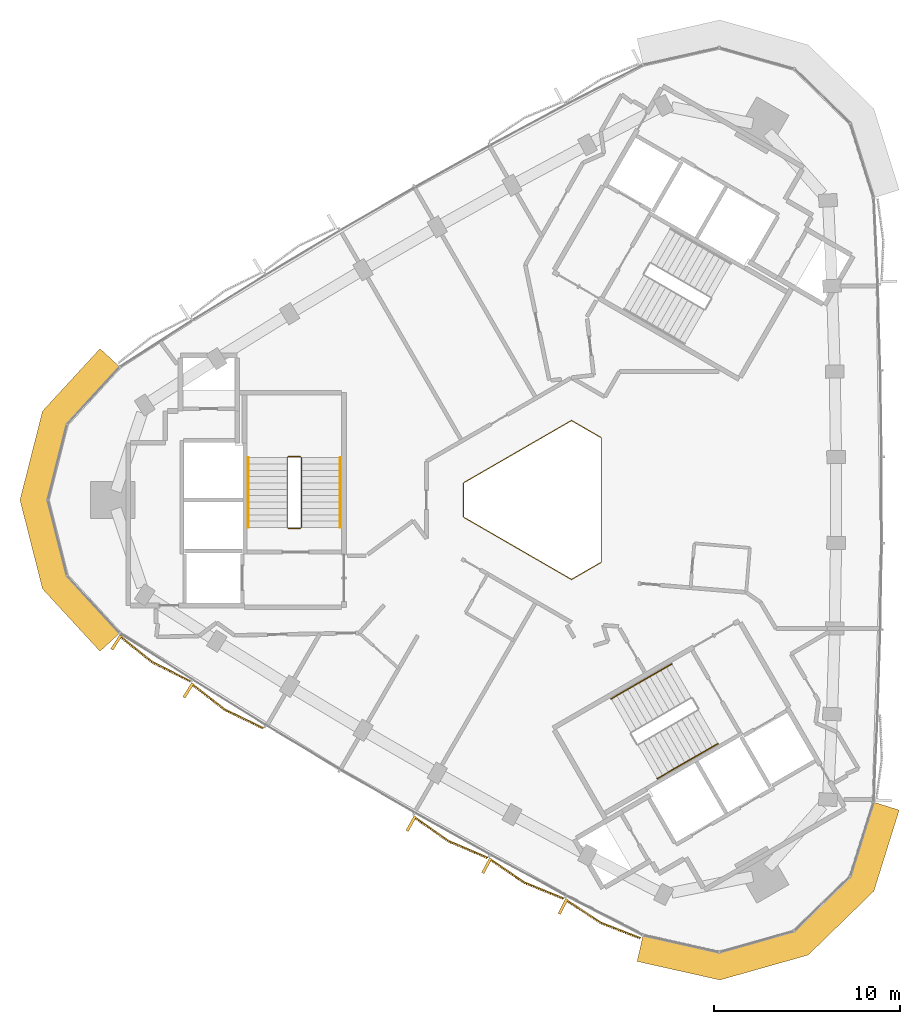
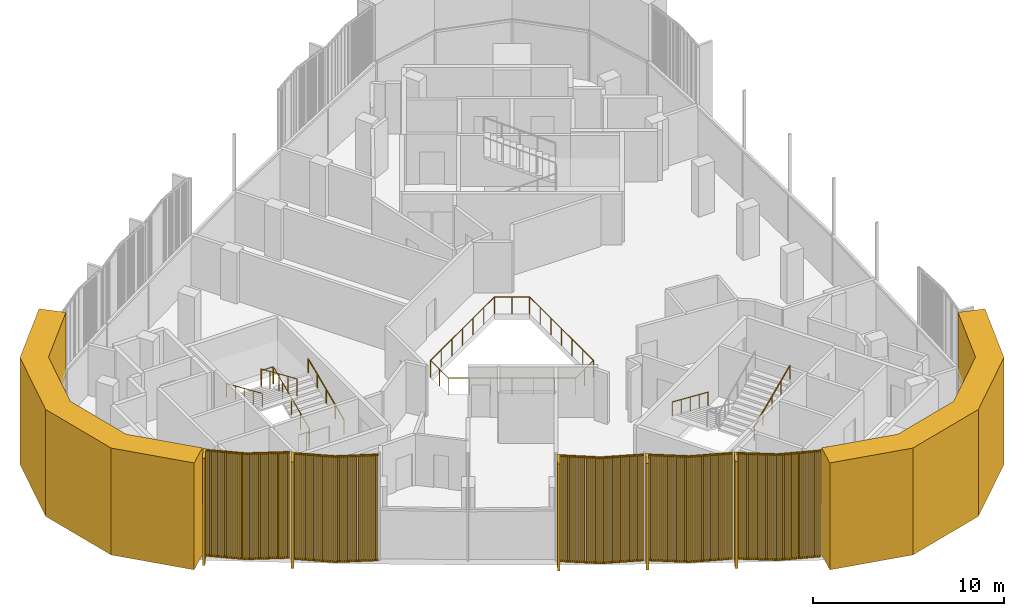
# One storey, part 10 of 12: 7 coverings, 6 railings.
"""IFC4 building model written with IfcOpenShell, lengths in metres."""

import ifcopenshell
import ifcopenshell.guid

model = None  # the IFC model being written
_history = None  # IfcOwnerHistory: only IFC2X3 demands one
_inside = {}  # id of a spatial element -> (the spatial element, [elements in it])
_under = {}  # id of a project, library or spatial element -> (it, [spatial elements below it])
_declared = {}  # id of a project -> (the project, [libraries it declares])
_typed = {}  # id of a type object -> (the type object, [elements of that type])
_made_of = {}  # id of a material, layer set ... -> (it, [elements and type objects made of it])


def new_model(schema):
    """Start an empty IFC model of exactly this schema.

    Asked for "IFC4X3", IfcOpenShell would pick the latest addendum, in which some entities
    have other attributes; the version numbers below select the first issue.
    IFC2X3 requires an IfcOwnerHistory on every rooted entity: one is made here for all.
    """
    global model, _history
    if schema == "IFC4X3":
        model = ifcopenshell.file(schema_version=(4, 3, 0, 0))
    else:
        model = ifcopenshell.file(schema=schema)
    _inside.clear()
    _under.clear()
    _declared.clear()
    _typed.clear()
    _made_of.clear()
    _history = None
    if model.schema == "IFC2X3":
        org = make("IfcOrganization", Name="unknown")
        user = make(
            "IfcPersonAndOrganization",
            ThePerson=make("IfcPerson", FamilyName="unknown"),
            TheOrganization=org,
        )
        app = make(
            "IfcApplication",
            ApplicationDeveloper=org,
            Version="unknown",
            ApplicationFullName="unknown",
            ApplicationIdentifier="unknown",
        )
        _history = make(
            "IfcOwnerHistory",
            OwningUser=user,
            OwningApplication=app,
            ChangeAction="ADDED",
            CreationDate=0,
        )
    return model


def make(cls, **values):
    """One entity of the class cls with the attributes given. An attribute that is None is left unset."""
    return model.create_entity(
        cls, **{name: value for name, value in values.items() if value is not None}
    )


def rooted(cls, **values):
    """An entity with a GlobalId (a new one), such as an element, a storey or a relation."""
    return make(cls, GlobalId=ifcopenshell.guid.new(), OwnerHistory=_history, **values)


def si_unit(unit_type, name, prefix=None):
    """IfcSIUnit, for example si_unit("LENGTHUNIT", "METRE", prefix="MILLI")."""
    return make("IfcSIUnit", UnitType=unit_type, Prefix=prefix, Name=name)


def assignment(units):
    """IfcUnitAssignment: the units of a project."""
    return None if units is None else make("IfcUnitAssignment", Units=units)


def point(xyz):
    """IfcCartesianPoint."""
    return None if xyz is None else make("IfcCartesianPoint", Coordinates=xyz)


def direction(xyz):
    """IfcDirection."""
    return None if xyz is None else make("IfcDirection", DirectionRatios=xyz)


def frame(location, z_axis=None, x_axis=None):
    """IfcAxis2Placement3D, a coordinate frame: its origin and axes. An axis left out is left unset."""
    return make(
        "IfcAxis2Placement3D",
        Location=point(location),
        Axis=direction(z_axis),
        RefDirection=direction(x_axis),
    )


def frame_2d(location, x_axis=None):
    """IfcAxis2Placement2D, a coordinate frame in the plane: its origin and x axis."""
    return make(
        "IfcAxis2Placement2D", Location=point(location), RefDirection=direction(x_axis)
    )


def origin():
    """The frame at (0, 0, 0) with its axes left unset."""
    return frame((0.0, 0.0, 0.0))


def origin_2d():
    """The frame at (0, 0) in the plane with its x axis left unset."""
    return frame_2d((0.0, 0.0))


def place(relative_to, where):
    """IfcLocalPlacement: puts the frame where relative to a parent placement (None: the world)."""
    return make(
        "IfcLocalPlacement", PlacementRelTo=relative_to, RelativePlacement=where
    )


def context(
    kind, dimensions, precision=None, world=None, true_north=None, identifier=None
):
    """IfcGeometricRepresentationContext, for example the 3D "Model" context."""
    return make(
        "IfcGeometricRepresentationContext",
        ContextIdentifier=identifier,
        ContextType=kind,
        CoordinateSpaceDimension=dimensions,
        Precision=precision,
        WorldCoordinateSystem=world,
        TrueNorth=true_north,
    )


def subcontext(parent, identifier, kind, view, scale=None):
    """IfcGeometricRepresentationSubContext, for example "Body" below "Model"."""
    return make(
        "IfcGeometricRepresentationSubContext",
        ContextIdentifier=identifier,
        ContextType=kind,
        ParentContext=parent,
        TargetScale=scale,
        TargetView=view,
    )


def project(units=None, contexts=None):
    """IfcProject with its units and contexts."""
    return rooted(
        "IfcProject",
        Name="project",
        RepresentationContexts=contexts,
        UnitsInContext=assignment(units),
    )


def spatial(cls, under=None, at=None, **own):
    """A site, building, storey or space (cls), placed at a placement, below another one or the project."""
    s = rooted(cls, ObjectPlacement=at, **own)
    if under is not None:
        _under.setdefault(under.id(), (under, []))[1].append(s)
    return s


def polyline(points):
    """IfcPolyline through the points."""
    return make("IfcPolyline", Points=[point(p) for p in points])


def profile(cls, at=None, kind="AREA", **sizes):
    """A parametric profile (cls). Its sizes go by their IFC names, for example OverallWidth=200.0."""
    return make(cls, ProfileType=kind, Position=at, **sizes)


def rectangle(**sizes):
    """IfcRectangleProfileDef."""
    return profile("IfcRectangleProfileDef", **sizes)


def circle(**sizes):
    """IfcCircleProfileDef."""
    return profile("IfcCircleProfileDef", **sizes)


def outline(outer, holes=None, kind="AREA"):
    """IfcArbitraryClosedProfileDef: a profile drawn as a closed curve; with holes, ...WithVoids."""
    if holes is None:
        return make("IfcArbitraryClosedProfileDef", ProfileType=kind, OuterCurve=outer)
    return make(
        "IfcArbitraryProfileDefWithVoids",
        ProfileType=kind,
        OuterCurve=outer,
        InnerCurves=holes,
    )


def extrude(swept, where, along, depth):
    """IfcExtrudedAreaSolid: the profile swept, set in the frame where, extruded along a direction by depth."""
    return make(
        "IfcExtrudedAreaSolid",
        SweptArea=swept,
        Position=where,
        ExtrudedDirection=direction(along),
        Depth=depth,
    )


def shape(context_of_items, identifier, shape_type, items):
    """IfcShapeRepresentation: the items that make up one representation, for example the "Body"."""
    return make(
        "IfcShapeRepresentation",
        ContextOfItems=context_of_items,
        RepresentationIdentifier=identifier,
        RepresentationType=shape_type,
        Items=items,
    )


def source(mapping_origin, context_of_items, identifier, shape_type, items):
    """IfcRepresentationMap: a shape defined once, which mapped items show again and again."""
    return make(
        "IfcRepresentationMap",
        MappingOrigin=mapping_origin,
        MappedRepresentation=shape(context_of_items, identifier, shape_type, items),
    )


def transform(
    local_origin,
    x_axis=None,
    y_axis=None,
    z_axis=None,
    scale=None,
    scale2=None,
    scale3=None,
    uniform=True,
):
    """IfcCartesianTransformationOperator3D, or its non-uniform kind. x_axis, y_axis, z_axis: its Axis1, 2, 3."""
    if uniform:
        return make(
            "IfcCartesianTransformationOperator3D",
            Axis1=direction(x_axis),
            Axis2=direction(y_axis),
            LocalOrigin=point(local_origin),
            Scale=scale,
            Axis3=direction(z_axis),
        )
    return make(
        "IfcCartesianTransformationOperator3DnonUniform",
        Axis1=direction(x_axis),
        Axis2=direction(y_axis),
        LocalOrigin=point(local_origin),
        Scale=scale,
        Axis3=direction(z_axis),
        Scale2=scale2,
        Scale3=scale3,
    )


def mapped(mapping_source, mapping_target):
    """IfcMappedItem: shows the shape of a source again, moved by a transform."""
    return make(
        "IfcMappedItem", MappingSource=mapping_source, MappingTarget=mapping_target
    )


def material(Name=None, Category=None):
    """IfcMaterial."""
    return make("IfcMaterial", Name=Name, Category=Category)


def layer(
    of_material, thickness, ventilated=None, Name=None, Category=None, Priority=None
):
    """IfcMaterialLayer: one layer of a wall or slab, of a material (None: an air gap)."""
    return make(
        "IfcMaterialLayer",
        Material=of_material,
        LayerThickness=thickness,
        IsVentilated=ventilated,
        Name=Name,
        Category=Category,
        Priority=Priority,
    )


def layer_set(layers, Name=None):
    """IfcMaterialLayerSet."""
    return make("IfcMaterialLayerSet", MaterialLayers=layers, LayerSetName=Name)


def made_of(thing, what):
    """Note that an element or type object is made of a material, layer set ...; save() writes the relation."""
    if what is not None:
        _made_of.setdefault(what.id(), (what, []))[1].append(thing)
    return thing


def type_object(cls, material=None, **own):
    """A type object (cls), such as IfcWallType, which elements share."""
    return made_of(rooted(cls, **own), material)


def element(
    cls,
    number,
    at=None,
    inside=None,
    cuts=None,
    type_object=None,
    material=None,
    context=None,
    identifier="Body",
    shape_type=None,
    held_by="IfcProductDefinitionShape",
    body=None,
    shapes=None,
    **own,
):
    """One element of the class cls, such as IfcWall. Its Tag is "e" and its number.

    at: its placement. inside: the storey or other place that contains it. cuts: it is an
    opening in that element (IfcRelVoidsElement). A single representation is given by context,
    identifier, shape_type and body (its items); several are given by shapes. held_by: the class
    of the entity that holds the representations. save() writes the other relations.
    """
    e = rooted(cls, Tag="e%d" % number, ObjectPlacement=at, **own)
    if body is not None:
        shapes = [shape(context, identifier, shape_type, body)]
    if shapes is not None:
        e.Representation = make(held_by, Representations=shapes)
    if inside is not None:
        _inside.setdefault(inside.id(), (inside, []))[1].append(e)
    if cuts is not None:
        rooted(
            "IfcRelVoidsElement", RelatingBuildingElement=cuts, RelatedOpeningElement=e
        )
    if type_object is not None:
        _typed.setdefault(type_object.id(), (type_object, []))[1].append(e)
    return made_of(e, material)


def aggregate(whole, parts):
    """IfcRelAggregates: a whole, such as a stair, and the parts it consists of."""
    return rooted("IfcRelAggregates", RelatingObject=whole, RelatedObjects=parts)


def save(model, path):
    """Write the relations noted so far, then the file.

    IfcRelAggregates (storeys below a building ...), IfcRelContainedInSpatialStructure (elements
    in a storey), IfcRelDefinesByType, IfcRelAssociatesMaterial and IfcRelDeclares: one each for
    every whole, place, type object, material and project.
    """
    for whole, parts in _under.values():
        aggregate(whole, parts)
    for where, things in _inside.values():
        rooted(
            "IfcRelContainedInSpatialStructure",
            RelatedElements=things,
            RelatingStructure=where,
        )
    for kind, things in _typed.values():
        rooted("IfcRelDefinesByType", RelatedObjects=things, RelatingType=kind)
    for what, things in _made_of.values():
        rooted("IfcRelAssociatesMaterial", RelatedObjects=things, RelatingMaterial=what)
    for by, libraries in _declared.values():
        rooted("IfcRelDeclares", RelatingContext=by, RelatedDefinitions=libraries)
    model.write(path)


model = new_model("IFC4")

# Units and contexts
model_context = context("Model", 3, precision=1e-05, world=origin(), true_north=direction((0.0, 1.0)))
body_context = subcontext(model_context, "Body", "Model", "MODEL_VIEW")
ifc_project = project(units=[si_unit("LENGTHUNIT", "METRE"), si_unit("AREAUNIT", "SQUARE_METRE"), si_unit("VOLUMEUNIT", "CUBIC_METRE"), si_unit("PLANEANGLEUNIT", "RADIAN"), si_unit("MASSUNIT", "GRAM", prefix="KILO")], contexts=[model_context])

# Site, building, storey
site_placement = place(None, origin())
site = spatial("IfcSite", under=ifc_project, at=site_placement, CompositionType="ELEMENT")
building_placement = place(site_placement, origin())
building = spatial("IfcBuilding", under=site, at=building_placement, Name="Tamra Quay Hotel Tower", CompositionType="ELEMENT")
storey_placement = place(building_placement, frame((0.0, 0.0, 273.0)))
storey = spatial("IfcBuildingStorey", under=building, at=storey_placement, Name="L69", CompositionType="ELEMENT", Elevation=273.0)

# Coverings
ifc_material_1 = material(Name="Precast concrete M60 terracotta-coloured", Category="masonry")
ifc_layer = layer(ifc_material_1, 1.449951171875)
ifc_layer_set = layer_set([ifc_layer], Name="CORNER PIER PANEL")
covering_type_1 = type_object("IfcCoveringType", Name="CORNER PIER PANEL", PredefinedType="CLADDING", material=ifc_layer_set)
covering_1_placement = place(storey_placement, origin())
element("IfcCovering", 1, at=covering_1_placement, inside=storey, type_object=covering_type_1, Name="Corner pier L69.north-west", PredefinedType="CLADDING", context=body_context, shape_type="SweptSolid", body=[
    extrude(outline(polyline([(-22.898681640625, 7.15869140625), (-23.965087890625, 8.140869140625), (-27.05810546875, 4.781982421875), (-28.269287109375, 0.0), (-27.05810546875, -4.781982421875), (-23.965087890625, -8.140869140625), (-22.898681640625, -7.15869140625), (-25.742431640625, -4.070068359375), (-26.7734375, 0.0), (-25.742431640625, 4.070068359375), (-22.898681640625, 7.15869140625)])), origin(), (0.0, 0.0, 1.0), 6.85009765625),
])
covering_2_placement = place(storey_placement, origin())
element("IfcCovering", 2, at=covering_2_placement, inside=storey, type_object=covering_type_1, Name="Corner pier L69.south-west", PredefinedType="CLADDING", context=body_context, shape_type="SweptSolid", body=[
    extrude(outline(polyline([(5.249755859375, -23.409912109375), (4.9326171875, -24.824951171875), (9.3876953125, -25.823974609375), (14.134521484375, -24.481689453125), (17.67041015625, -21.0419921875), (19.03271484375, -16.68408203125), (17.648681640625, -16.25146484375), (16.39599609375, -20.2587890625), (13.38671875, -23.186279296875), (9.346435546875, -24.32861328125), (5.249755859375, -23.409912109375)])), origin(), (0.0, 0.0, 1.0), 6.85009765625),
])

# Railings
ifc_material_2 = material(Name="Guard atrium edge 1100")
railing_type_1 = type_object("IfcRailingType", Name="Guard atrium edge 1100", PredefinedType="GUARDRAIL", material=ifc_material_2)
railing_1_placement = place(storey_placement, frame((3.0, -3.34912109375, 0.0)))
element("IfcRailing", 3, at=railing_1_placement, inside=storey, type_object=railing_type_1, Name="G-A", PredefinedType="GUARDRAIL", context=body_context, shape_type="SweptSolid", body=[
    extrude(circle(Radius=0.02392578125, at=origin_2d()), frame((0.0, 0.0, 1.076171875), z_axis=(-0.866251590862, -0.499608027687, 0.0), x_axis=(0.499608027687, -0.866251590862, 0.0)), (0.0, 0.0, 1.0), 1.84716796875),
    extrude(circle(Radius=0.02392578125, at=origin_2d()), frame((-1.60009765625, -0.9228515625, 1.076171875), z_axis=(-0.866065387416, 0.499930739924, 0.0), x_axis=(-0.499930739924, -0.866065387416, 0.0)), (0.0, 0.0, 1.0), 6.69677734375),
    extrude(circle(Radius=0.02392578125, at=origin_2d()), frame((-7.39990234375, 2.425048828125, 1.076171875), z_axis=(0.0, 1.0, 0.0), x_axis=(-1.0, 0.0, 0.0)), (0.0, 0.0, 1.0), 1.84814453125),
    extrude(circle(Radius=0.02392578125, at=origin_2d()), frame((-7.39990234375, 4.273193359375, 1.076171875), z_axis=(0.866065387416, 0.499930739924, 0.0), x_axis=(-0.499930739924, 0.866065387416, 0.0)), (0.0, 0.0, 1.0), 6.69677734375),
    extrude(circle(Radius=0.02392578125, at=origin_2d()), frame((-1.60009765625, 7.62109375, 1.076171875), z_axis=(0.866251590862, -0.499608027687, 0.0), x_axis=(0.499608027687, 0.866251590862, 0.0)), (0.0, 0.0, 1.0), 1.84716796875),
    extrude(circle(Radius=0.02392578125, at=origin_2d()), frame((0.0, 6.6982421875, 1.076171875), z_axis=(0.0, -1.0, 0.0), x_axis=(1.0, 0.0, 0.0)), (0.0, 0.0, 1.0), 6.6982421875),
    extrude(circle(Radius=0.02099609375, at=origin_2d()), origin(), (0.0, 0.0, 1.0), 1.052001953125),
    extrude(circle(Radius=0.02099609375, at=origin_2d()), frame((-0.800048828125, -0.46142578125, 0.0)), (0.0, 0.0, 1.0), 1.052001953125),
    extrude(circle(Radius=0.02099609375, at=origin_2d()), frame((-1.60009765625, -0.9228515625, 0.0)), (0.0, 0.0, 1.0), 1.052001953125),
    extrude(circle(Radius=0.02099609375, at=origin_2d()), frame((-2.566650390625, -0.36474609375, 0.0)), (0.0, 0.0, 1.0), 1.052001953125),
    extrude(circle(Radius=0.02099609375, at=origin_2d()), frame((-3.533447265625, 0.193115234375, 0.0)), (0.0, 0.0, 1.0), 1.052001953125),
    extrude(circle(Radius=0.02099609375, at=origin_2d()), frame((-4.5, 0.7509765625, 0.0)), (0.0, 0.0, 1.0), 1.052001953125),
    extrude(circle(Radius=0.02099609375, at=origin_2d()), frame((-5.466552734375, 1.30908203125, 0.0)), (0.0, 0.0, 1.0), 1.052001953125),
    extrude(circle(Radius=0.02099609375, at=origin_2d()), frame((-6.433349609375, 1.8671875, 0.0)), (0.0, 0.0, 1.0), 1.052001953125),
    extrude(circle(Radius=0.02099609375, at=origin_2d()), frame((-7.39990234375, 2.425048828125, 0.0)), (0.0, 0.0, 1.0), 1.052001953125),
    extrude(circle(Radius=0.02099609375, at=origin_2d()), frame((-7.39990234375, 3.34912109375, 0.0)), (0.0, 0.0, 1.0), 1.052001953125),
    extrude(circle(Radius=0.02099609375, at=origin_2d()), frame((-7.39990234375, 4.273193359375, 0.0)), (0.0, 0.0, 1.0), 1.052001953125),
    extrude(circle(Radius=0.02099609375, at=origin_2d()), frame((-6.433349609375, 4.8310546875, 0.0)), (0.0, 0.0, 1.0), 1.052001953125),
    extrude(circle(Radius=0.02099609375, at=origin_2d()), frame((-5.466552734375, 5.38916015625, 0.0)), (0.0, 0.0, 1.0), 1.052001953125),
    extrude(circle(Radius=0.02099609375, at=origin_2d()), frame((-4.5, 5.947265625, 0.0)), (0.0, 0.0, 1.0), 1.052001953125),
    extrude(circle(Radius=0.02099609375, at=origin_2d()), frame((-3.533447265625, 6.505126953125, 0.0)), (0.0, 0.0, 1.0), 1.052001953125),
    extrude(circle(Radius=0.02099609375, at=origin_2d()), frame((-2.566650390625, 7.06298828125, 0.0)), (0.0, 0.0, 1.0), 1.052001953125),
    extrude(circle(Radius=0.02099609375, at=origin_2d()), frame((-1.60009765625, 7.62109375, 0.0)), (0.0, 0.0, 1.0), 1.052001953125),
    extrude(circle(Radius=0.02099609375, at=origin_2d()), frame((-0.800048828125, 7.15966796875, 0.0)), (0.0, 0.0, 1.0), 1.052001953125),
    extrude(circle(Radius=0.02099609375, at=origin_2d()), frame((0.0, 6.6982421875, 0.0)), (0.0, 0.0, 1.0), 1.052001953125),
    extrude(circle(Radius=0.02099609375, at=origin_2d()), frame((0.0, 5.581787109375, 0.0)), (0.0, 0.0, 1.0), 1.052001953125),
    extrude(circle(Radius=0.02099609375, at=origin_2d()), frame((0.0, 4.465576171875, 0.0)), (0.0, 0.0, 1.0), 1.052001953125),
    extrude(circle(Radius=0.02099609375, at=origin_2d()), frame((0.0, 3.34912109375, 0.0)), (0.0, 0.0, 1.0), 1.052001953125),
    extrude(circle(Radius=0.02099609375, at=origin_2d()), frame((0.0, 2.232666015625, 0.0)), (0.0, 0.0, 1.0), 1.052001953125),
    extrude(circle(Radius=0.02099609375, at=origin_2d()), frame((0.0, 1.116455078125, 0.0)), (0.0, 0.0, 1.0), 1.052001953125),
])
ifc_material_3 = material(Name="Stair guard 1100")
railing_type_2 = type_object("IfcRailingType", Name="Stair guard 1100", PredefinedType="GUARDRAIL", material=ifc_material_3)
railing_2_placement = place(storey_placement, frame((-13.84130859375, -1.530029296875, 0.0)))
element("IfcRailing", 4, at=railing_2_placement, inside=storey, type_object=railing_type_2, Name="GR", PredefinedType="GUARDRAIL", context=body_context, shape_type="SweptSolid", body=[
    extrude(circle(Radius=0.02392578125, at=origin_2d()), frame((0.0, 0.0, 1.076171875), z_axis=(1.0, 0.0, 0.0), x_axis=(0.0, 1.0, 0.0)), (0.0, 0.0, 1.0), 0.658935546875),
    extrude(circle(Radius=0.02392578125, at=origin_2d()), frame((0.658935546875, 0.0, 1.076171875), z_axis=(0.301912943143, 0.301912943143, 0.904266083366), x_axis=(-0.707106781187, 0.707106781187, 0.0)), (0.0, 0.0, 1.0), 0.165771484375),
    extrude(circle(Radius=0.02392578125, at=origin_2d()), frame((0.708984375, 0.050048828125, 1.22607421875), z_axis=(0.0, 0.915773634228, 0.401694723457), x_axis=(-1.0, 0.0, 0.0)), (0.0, 0.0, 1.0), 4.10791015625),
    extrude(circle(Radius=0.02392578125, at=origin_2d()), frame((0.708984375, 3.81201171875, 2.8759765625), z_axis=(-0.708833529934, 0.705375805398, 0.0), x_axis=(-0.705375805398, -0.708833529934, 0.0)), (0.0, 0.0, 1.0), 0.070556640625),
    extrude(circle(Radius=0.02392578125, at=origin_2d()), frame((0.658935546875, 3.86181640625, 2.8759765625), z_axis=(-1.0, 0.0, 0.0), x_axis=(0.0, -1.0, 0.0)), (0.0, 0.0, 1.0), 0.658935546875),
    extrude(circle(Radius=0.02392578125, at=origin_2d()), frame((0.0, 3.86181640625, 2.8759765625), z_axis=(-0.302046947789, -0.300573548044, 0.904667443621), x_axis=(0.705375805398, -0.708833529934, 0.0)), (0.0, 0.0, 1.0), 0.165771484375),
    extrude(circle(Radius=0.02392578125, at=origin_2d()), frame((-0.050048828125, 3.81201171875, 3.02587890625), z_axis=(0.0, -0.915773634228, 0.401694723457), x_axis=(1.0, 0.0, 0.0)), (0.0, 0.0, 1.0), 4.10791015625),
    extrude(circle(Radius=0.02099609375, at=origin_2d()), origin(), (0.0, 0.0, 1.0), 1.052001953125),
    extrude(circle(Radius=0.02099609375, at=origin_2d()), frame((0.658935546875, 0.0, 0.0)), (0.0, 0.0, 1.0), 1.052001953125),
    extrude(circle(Radius=0.02099609375, at=origin_2d()), frame((0.708984375, 0.050048828125, 0.14990234375)), (0.0, 0.0, 1.0), 1.052001953125),
    extrude(circle(Radius=0.02099609375, at=origin_2d()), frame((0.708984375, 0.990478515625, 0.5625)), (0.0, 0.0, 1.0), 1.052001953125),
    extrude(circle(Radius=0.02099609375, at=origin_2d()), frame((0.708984375, 1.93115234375, 0.97509765625)), (0.0, 0.0, 1.0), 1.052001953125),
    extrude(circle(Radius=0.02099609375, at=origin_2d()), frame((0.708984375, 2.87158203125, 1.387451171875)), (0.0, 0.0, 1.0), 1.052001953125),
    extrude(circle(Radius=0.02099609375, at=origin_2d()), frame((0.708984375, 3.81201171875, 1.800048828125)), (0.0, 0.0, 1.0), 1.052001953125),
    extrude(circle(Radius=0.02099609375, at=origin_2d()), frame((0.658935546875, 3.86181640625, 1.800048828125)), (0.0, 0.0, 1.0), 1.052001953125),
    extrude(circle(Radius=0.02099609375, at=origin_2d()), frame((0.0, 3.86181640625, 1.800048828125)), (0.0, 0.0, 1.0), 1.052001953125),
    extrude(circle(Radius=0.02099609375, at=origin_2d()), frame((-0.050048828125, 3.81201171875, 1.949951171875)), (0.0, 0.0, 1.0), 1.052001953125),
    extrude(circle(Radius=0.02099609375, at=origin_2d()), frame((-0.050048828125, 2.87158203125, 2.362548828125)), (0.0, 0.0, 1.0), 1.052001953125),
    extrude(circle(Radius=0.02099609375, at=origin_2d()), frame((-0.050048828125, 1.93115234375, 2.77490234375)), (0.0, 0.0, 1.0), 1.052001953125),
    extrude(circle(Radius=0.02099609375, at=origin_2d()), frame((-0.050048828125, 0.990478515625, 3.1875)), (0.0, 0.0, 1.0), 1.052001953125),
    extrude(circle(Radius=0.02099609375, at=origin_2d()), frame((-0.050048828125, 0.050048828125, 3.60009765625)), (0.0, 0.0, 1.0), 1.052001953125),
])
ifc_material_4 = material(Name="Stair handrail 900")
railing_type_3 = type_object("IfcRailingType", Name="Stair handrail 900", PredefinedType="HANDRAIL", material=ifc_material_4)
railing_3_placement = place(storey_placement, frame((-11.0322265625, -1.47998046875, 0.14990234375)))
element("IfcRailing", 5, at=railing_3_placement, inside=storey, type_object=railing_type_3, Name="HR", PredefinedType="HANDRAIL", context=body_context, shape_type="SweptSolid", body=[
    extrude(circle(Radius=0.02392578125, at=origin_2d()), frame((0.0, 0.0, 0.8759765625), z_axis=(0.0, 0.915773634228, 0.401694723457), x_axis=(-1.0, 0.0, 0.0)), (0.0, 0.0, 1.0), 4.10791015625),
    extrude(circle(Radius=0.02099609375, at=origin_2d()), origin(), (0.0, 0.0, 1.0), 0.851806640625),
    extrude(circle(Radius=0.02099609375, at=origin_2d()), frame((0.0, 0.9404296875, 0.41259765625)), (0.0, 0.0, 1.0), 0.851806640625),
    extrude(circle(Radius=0.02099609375, at=origin_2d()), frame((0.0, 1.880859375, 0.8251953125)), (0.0, 0.0, 1.0), 0.851806640625),
    extrude(circle(Radius=0.02099609375, at=origin_2d()), frame((0.0, 2.821533203125, 1.237548828125)), (0.0, 0.0, 1.0), 0.851806640625),
    extrude(circle(Radius=0.02099609375, at=origin_2d()), frame((0.0, 3.761962890625, 1.650146484375)), (0.0, 0.0, 1.0), 0.851806640625),
])
railing_4_placement = place(storey_placement, frame((-15.9912109375, 2.281982421875, 1.949951171875)))
element("IfcRailing", 6, at=railing_4_placement, inside=storey, type_object=railing_type_3, Name="HR", PredefinedType="HANDRAIL", context=body_context, shape_type="SweptSolid", body=[
    extrude(circle(Radius=0.02392578125, at=origin_2d()), frame((0.0, 0.0, 0.8759765625), z_axis=(0.0, -0.915773634228, 0.401694723457), x_axis=(1.0, 0.0, 0.0)), (0.0, 0.0, 1.0), 4.10791015625),
    extrude(circle(Radius=0.02099609375, at=origin_2d()), origin(), (0.0, 0.0, 1.0), 0.851806640625),
    extrude(circle(Radius=0.02099609375, at=origin_2d()), frame((0.0, -0.9404296875, 0.41259765625)), (0.0, 0.0, 1.0), 0.851806640625),
    extrude(circle(Radius=0.02099609375, at=origin_2d()), frame((0.0, -1.880859375, 0.8251953125)), (0.0, 0.0, 1.0), 0.851806640625),
    extrude(circle(Radius=0.02099609375, at=origin_2d()), frame((0.0, -2.821533203125, 1.237548828125)), (0.0, 0.0, 1.0), 0.851806640625),
    extrude(circle(Radius=0.02099609375, at=origin_2d()), frame((0.0, -3.761962890625, 1.650146484375)), (0.0, 0.0, 1.0), 0.851806640625),
])
railing_5_placement = place(storey_placement, frame((6.7978515625, -8.814208984375, 0.14990234375)))
element("IfcRailing", 7, at=railing_5_placement, inside=storey, type_object=railing_type_3, Name="HR", PredefinedType="HANDRAIL", context=body_context, shape_type="SweptSolid", body=[
    extrude(circle(Radius=0.02392578125, at=origin_2d()), frame((0.0, 0.0, 0.8759765625), z_axis=(-0.793081112945, -0.457875966286, 0.40171127416), x_axis=(0.499992114976, -0.866029956157, 0.0)), (0.0, 0.0, 1.0), 4.10791015625),
    extrude(circle(Radius=0.02099609375, at=origin_2d()), origin(), (0.0, 0.0, 1.0), 0.851806640625),
    extrude(circle(Radius=0.02099609375, at=origin_2d()), frame((-0.814453125, -0.47021484375, 0.41259765625)), (0.0, 0.0, 1.0), 0.851806640625),
    extrude(circle(Radius=0.02099609375, at=origin_2d()), frame((-1.62890625, -0.9404296875, 0.8251953125)), (0.0, 0.0, 1.0), 0.851806640625),
    extrude(circle(Radius=0.02099609375, at=origin_2d()), frame((-2.443359375, -1.41064453125, 1.237548828125)), (0.0, 0.0, 1.0), 0.851806640625),
    extrude(circle(Radius=0.02099609375, at=origin_2d()), frame((-3.2578125, -1.880859375, 1.650146484375)), (0.0, 0.0, 1.0), 0.851806640625),
])
railing_6_placement = place(storey_placement, frame((6.01953125, -14.98974609375, 1.949951171875)))
element("IfcRailing", 8, at=railing_6_placement, inside=storey, type_object=railing_type_3, Name="HR", PredefinedType="HANDRAIL", context=body_context, shape_type="SweptSolid", body=[
    extrude(circle(Radius=0.02392578125, at=origin_2d()), frame((0.0, 0.0, 0.8759765625), z_axis=(0.793081112945, 0.457875966286, 0.40171127416), x_axis=(-0.499992114976, 0.866029956157, 0.0)), (0.0, 0.0, 1.0), 4.10791015625),
    extrude(circle(Radius=0.02099609375, at=origin_2d()), origin(), (0.0, 0.0, 1.0), 0.851806640625),
    extrude(circle(Radius=0.02099609375, at=origin_2d()), frame((0.814453125, 0.47021484375, 0.41259765625)), (0.0, 0.0, 1.0), 0.851806640625),
    extrude(circle(Radius=0.02099609375, at=origin_2d()), frame((1.62890625, 0.9404296875, 0.8251953125)), (0.0, 0.0, 1.0), 0.851806640625),
    extrude(circle(Radius=0.02099609375, at=origin_2d()), frame((2.443359375, 1.41064453125, 1.237548828125)), (0.0, 0.0, 1.0), 0.851806640625),
    extrude(circle(Radius=0.02099609375, at=origin_2d()), frame((3.2578125, 1.880859375, 1.650146484375)), (0.0, 0.0, 1.0), 0.851806640625),
])

# Coverings
ifc_material_5 = material(Name="Terracotta baguette extruded", Category="masonry")
covering_type_2 = type_object("IfcCoveringType", Name="BAGUETTE SCREEN SW-V H6850", PredefinedType="USERDEFINED", material=ifc_material_5)
shared_shape = source(origin(), body_context, "Body", "SweptSolid", [
    extrude(rectangle(XDim=2.295166015625, YDim=0.06005859375, at=frame_2d((1.1474609375, 0.030029296875))), frame((-2.288818359375, -0.0576171875, -0.1201171875), z_axis=(0.0, 0.0, 1.0), x_axis=(0.994521895368, -0.104528463268, 0.0)), (0.0, 0.0, 1.0), 0.1201171875),
    extrude(rectangle(XDim=2.295166015625, YDim=0.06005859375, at=frame_2d((1.1474609375, 0.030029296875))), frame((-2.288818359375, -0.0576171875, -6.85009765625), z_axis=(0.0, 0.0, 1.0), x_axis=(0.994521895368, -0.104528463268, 0.0)), (0.0, 0.0, 1.0), 0.1201171875),
    extrude(rectangle(XDim=0.070068359375, YDim=0.10009765625, at=frame_2d((0.03515625, 0.050048828125))), frame((-2.267822265625, -0.13330078125, -6.7900390625)), (0.0, 0.0, 1.0), 6.72998046875),
    extrude(rectangle(XDim=0.070068359375, YDim=0.10009765625, at=frame_2d((0.03515625, 0.050048828125))), frame((-2.168701171875, -0.1435546875, -6.7900390625)), (0.0, 0.0, 1.0), 6.72998046875),
    extrude(rectangle(XDim=0.070068359375, YDim=0.10009765625, at=frame_2d((0.03515625, 0.050048828125))), frame((-2.0693359375, -0.154052734375, -6.7900390625)), (0.0, 0.0, 1.0), 6.72998046875),
    extrude(rectangle(XDim=0.070068359375, YDim=0.10009765625, at=frame_2d((0.03515625, 0.050048828125))), frame((-1.97021484375, -0.16455078125, -6.7900390625)), (0.0, 0.0, 1.0), 6.72998046875),
    extrude(rectangle(XDim=0.070068359375, YDim=0.10009765625, at=frame_2d((0.03515625, 0.050048828125))), frame((-1.870849609375, -0.175048828125, -6.7900390625)), (0.0, 0.0, 1.0), 6.72998046875),
    extrude(rectangle(XDim=0.070068359375, YDim=0.10009765625, at=frame_2d((0.03515625, 0.050048828125))), frame((-1.771728515625, -0.185302734375, -6.7900390625)), (0.0, 0.0, 1.0), 6.72998046875),
    extrude(rectangle(XDim=0.070068359375, YDim=0.10009765625, at=frame_2d((0.03515625, 0.050048828125))), frame((-1.67236328125, -0.19580078125, -6.7900390625)), (0.0, 0.0, 1.0), 6.72998046875),
    extrude(rectangle(XDim=0.070068359375, YDim=0.10009765625, at=frame_2d((0.03515625, 0.050048828125))), frame((-1.5732421875, -0.206298828125, -6.7900390625)), (0.0, 0.0, 1.0), 6.72998046875),
    extrude(rectangle(XDim=0.070068359375, YDim=0.10009765625, at=frame_2d((0.03515625, 0.050048828125))), frame((-1.473876953125, -0.216552734375, -6.7900390625)), (0.0, 0.0, 1.0), 6.72998046875),
    extrude(rectangle(XDim=0.070068359375, YDim=0.10009765625, at=frame_2d((0.03515625, 0.050048828125))), frame((-1.374755859375, -0.22705078125, -6.7900390625)), (0.0, 0.0, 1.0), 6.72998046875),
    extrude(rectangle(XDim=0.070068359375, YDim=0.10009765625, at=frame_2d((0.03515625, 0.050048828125))), frame((-1.275390625, -0.237548828125, -6.7900390625)), (0.0, 0.0, 1.0), 6.72998046875),
    extrude(rectangle(XDim=0.070068359375, YDim=0.10009765625, at=frame_2d((0.03515625, 0.050048828125))), frame((-1.17626953125, -0.248046875, -6.7900390625)), (0.0, 0.0, 1.0), 6.72998046875),
    extrude(rectangle(XDim=0.070068359375, YDim=0.10009765625, at=frame_2d((0.03515625, 0.050048828125))), frame((-1.076904296875, -0.25830078125, -6.7900390625)), (0.0, 0.0, 1.0), 6.72998046875),
    extrude(rectangle(XDim=0.070068359375, YDim=0.10009765625, at=frame_2d((0.03515625, 0.050048828125))), frame((-0.977783203125, -0.268798828125, -6.7900390625)), (0.0, 0.0, 1.0), 6.72998046875),
    extrude(rectangle(XDim=0.070068359375, YDim=0.10009765625, at=frame_2d((0.03515625, 0.050048828125))), frame((-0.87841796875, -0.279296875, -6.7900390625)), (0.0, 0.0, 1.0), 6.72998046875),
    extrude(rectangle(XDim=0.070068359375, YDim=0.10009765625, at=frame_2d((0.03515625, 0.050048828125))), frame((-0.779296875, -0.28955078125, -6.7900390625)), (0.0, 0.0, 1.0), 6.72998046875),
    extrude(rectangle(XDim=0.070068359375, YDim=0.10009765625, at=frame_2d((0.03515625, 0.050048828125))), frame((-0.679931640625, -0.300048828125, -6.7900390625)), (0.0, 0.0, 1.0), 6.72998046875),
    extrude(rectangle(XDim=0.070068359375, YDim=0.10009765625, at=frame_2d((0.03515625, 0.050048828125))), frame((-0.580810546875, -0.310546875, -6.7900390625)), (0.0, 0.0, 1.0), 6.72998046875),
    extrude(rectangle(XDim=0.070068359375, YDim=0.10009765625, at=frame_2d((0.03515625, 0.050048828125))), frame((-0.481689453125, -0.321044921875, -6.7900390625)), (0.0, 0.0, 1.0), 6.72998046875),
    extrude(rectangle(XDim=0.070068359375, YDim=0.10009765625, at=frame_2d((0.03515625, 0.050048828125))), frame((-0.38232421875, -0.331298828125, -6.7900390625)), (0.0, 0.0, 1.0), 6.72998046875),
    extrude(rectangle(XDim=0.070068359375, YDim=0.10009765625, at=frame_2d((0.03515625, 0.050048828125))), frame((-0.283203125, -0.341796875, -6.7900390625)), (0.0, 0.0, 1.0), 6.72998046875),
    extrude(rectangle(XDim=0.070068359375, YDim=0.10009765625, at=frame_2d((0.03515625, 0.050048828125))), frame((-0.183837890625, -0.352294921875, -6.7900390625)), (0.0, 0.0, 1.0), 6.72998046875),
    extrude(rectangle(XDim=0.070068359375, YDim=0.10009765625, at=frame_2d((0.03515625, 0.050048828125))), frame((-0.084716796875, -0.36279296875, -6.7900390625)), (0.0, 0.0, 1.0), 6.72998046875),
    extrude(rectangle(XDim=2.295166015625, YDim=0.06005859375, at=frame_2d((1.1474609375, 0.030029296875))), frame((0.00634765625, -0.297607421875, -0.1201171875), z_axis=(0.0, 0.0, 1.0), x_axis=(0.994521895368, 0.104528463268, 0.0)), (0.0, 0.0, 1.0), 0.1201171875),
    extrude(rectangle(XDim=2.295166015625, YDim=0.06005859375, at=frame_2d((1.1474609375, 0.030029296875))), frame((0.00634765625, -0.297607421875, -6.85009765625), z_axis=(0.0, 0.0, 1.0), x_axis=(0.994521895368, 0.104528463268, 0.0)), (0.0, 0.0, 1.0), 0.1201171875),
    extrude(rectangle(XDim=0.070068359375, YDim=0.10009765625, at=frame_2d((0.03515625, 0.050048828125))), frame((0.0146484375, -0.36279296875, -6.7900390625)), (0.0, 0.0, 1.0), 6.72998046875),
    extrude(rectangle(XDim=0.070068359375, YDim=0.10009765625, at=frame_2d((0.03515625, 0.050048828125))), frame((0.11376953125, -0.352294921875, -6.7900390625)), (0.0, 0.0, 1.0), 6.72998046875),
    extrude(rectangle(XDim=0.070068359375, YDim=0.10009765625, at=frame_2d((0.03515625, 0.050048828125))), frame((0.213134765625, -0.341796875, -6.7900390625)), (0.0, 0.0, 1.0), 6.72998046875),
    extrude(rectangle(XDim=0.070068359375, YDim=0.10009765625, at=frame_2d((0.03515625, 0.050048828125))), frame((0.312255859375, -0.331298828125, -6.7900390625)), (0.0, 0.0, 1.0), 6.72998046875),
    extrude(rectangle(XDim=0.070068359375, YDim=0.10009765625, at=frame_2d((0.03515625, 0.050048828125))), frame((0.41162109375, -0.321044921875, -6.7900390625)), (0.0, 0.0, 1.0), 6.72998046875),
    extrude(rectangle(XDim=0.070068359375, YDim=0.10009765625, at=frame_2d((0.03515625, 0.050048828125))), frame((0.5107421875, -0.310546875, -6.7900390625)), (0.0, 0.0, 1.0), 6.72998046875),
    extrude(rectangle(XDim=0.070068359375, YDim=0.10009765625, at=frame_2d((0.03515625, 0.050048828125))), frame((0.610107421875, -0.300048828125, -6.7900390625)), (0.0, 0.0, 1.0), 6.72998046875),
    extrude(rectangle(XDim=0.070068359375, YDim=0.10009765625, at=frame_2d((0.03515625, 0.050048828125))), frame((0.709228515625, -0.28955078125, -6.7900390625)), (0.0, 0.0, 1.0), 6.72998046875),
    extrude(rectangle(XDim=0.070068359375, YDim=0.10009765625, at=frame_2d((0.03515625, 0.050048828125))), frame((0.80859375, -0.279296875, -6.7900390625)), (0.0, 0.0, 1.0), 6.72998046875),
    extrude(rectangle(XDim=0.070068359375, YDim=0.10009765625, at=frame_2d((0.03515625, 0.050048828125))), frame((0.90771484375, -0.268798828125, -6.7900390625)), (0.0, 0.0, 1.0), 6.72998046875),
    extrude(rectangle(XDim=0.070068359375, YDim=0.10009765625, at=frame_2d((0.03515625, 0.050048828125))), frame((1.007080078125, -0.25830078125, -6.7900390625)), (0.0, 0.0, 1.0), 6.72998046875),
    extrude(rectangle(XDim=0.070068359375, YDim=0.10009765625, at=frame_2d((0.03515625, 0.050048828125))), frame((1.106201171875, -0.248046875, -6.7900390625)), (0.0, 0.0, 1.0), 6.72998046875),
    extrude(rectangle(XDim=0.070068359375, YDim=0.10009765625, at=frame_2d((0.03515625, 0.050048828125))), frame((1.20556640625, -0.237548828125, -6.7900390625)), (0.0, 0.0, 1.0), 6.72998046875),
    extrude(rectangle(XDim=0.070068359375, YDim=0.10009765625, at=frame_2d((0.03515625, 0.050048828125))), frame((1.3046875, -0.22705078125, -6.7900390625)), (0.0, 0.0, 1.0), 6.72998046875),
    extrude(rectangle(XDim=0.070068359375, YDim=0.10009765625, at=frame_2d((0.03515625, 0.050048828125))), frame((1.404052734375, -0.216552734375, -6.7900390625)), (0.0, 0.0, 1.0), 6.72998046875),
    extrude(rectangle(XDim=0.070068359375, YDim=0.10009765625, at=frame_2d((0.03515625, 0.050048828125))), frame((1.503173828125, -0.206298828125, -6.7900390625)), (0.0, 0.0, 1.0), 6.72998046875),
    extrude(rectangle(XDim=0.070068359375, YDim=0.10009765625, at=frame_2d((0.03515625, 0.050048828125))), frame((1.6025390625, -0.19580078125, -6.7900390625)), (0.0, 0.0, 1.0), 6.72998046875),
    extrude(rectangle(XDim=0.070068359375, YDim=0.10009765625, at=frame_2d((0.03515625, 0.050048828125))), frame((1.70166015625, -0.185302734375, -6.7900390625)), (0.0, 0.0, 1.0), 6.72998046875),
    extrude(rectangle(XDim=0.070068359375, YDim=0.10009765625, at=frame_2d((0.03515625, 0.050048828125))), frame((1.801025390625, -0.175048828125, -6.7900390625)), (0.0, 0.0, 1.0), 6.72998046875),
    extrude(rectangle(XDim=0.070068359375, YDim=0.10009765625, at=frame_2d((0.03515625, 0.050048828125))), frame((1.900146484375, -0.16455078125, -6.7900390625)), (0.0, 0.0, 1.0), 6.72998046875),
    extrude(rectangle(XDim=0.070068359375, YDim=0.10009765625, at=frame_2d((0.03515625, 0.050048828125))), frame((1.99951171875, -0.154052734375, -6.7900390625)), (0.0, 0.0, 1.0), 6.72998046875),
    extrude(rectangle(XDim=0.070068359375, YDim=0.10009765625, at=frame_2d((0.03515625, 0.050048828125))), frame((2.0986328125, -0.1435546875, -6.7900390625)), (0.0, 0.0, 1.0), 6.72998046875),
    extrude(rectangle(XDim=0.070068359375, YDim=0.10009765625, at=frame_2d((0.03515625, 0.050048828125))), frame((2.197998046875, -0.13330078125, -6.7900390625)), (0.0, 0.0, 1.0), 6.72998046875),
    extrude(rectangle(XDim=0.14990234375, YDim=0.902099609375, at=frame_2d((0.074951171875, 0.451171875))), frame((-2.282470703125, -0.89990234375, -6.85009765625)), (0.0, 0.0, 1.0), 6.85009765625),
])
for number, where, z_axis, x_axis, name in (
    (9, (-20.9853515625, -8.478759765625, 6.85009765625), (0.0, 0.0, 1.0), (0.841665009179, -0.54000001141, 0.0), "Baguette screen L69.SW.f00"),
    (10, (-17.09716796875, -11.025390625, 6.85009765625), (0.0, 0.0, 1.0), (0.849981780148, -0.526812085489, 0.0), "Baguette screen L69.SW.f01"),
    (11, (-5.07763671875, -18.090576171875, 6.85009765625), (0.0, 0.0, 1.0), (0.873736033097, -0.486400395218, 0.0), "Baguette screen L69.SW.f04"),
    (12, (-0.99951171875, -20.3193359375, 6.85009765625), (0.0, 0.0, 1.0), (0.881223539128, -0.472699771618, 0.0), "Baguette screen L69.SW.f05"),
    (13, (3.113037109375, -22.484130859375, 6.85009765625), (0.0, 0.0, 1.0), (0.888486232515, -0.458903273721, 0.0), "Baguette screen L69.SW.f06"),
):
    element("IfcCovering", number, at=place(storey_placement, frame(where, z_axis=z_axis, x_axis=x_axis)), inside=storey, type_object=covering_type_2, Name=name, ObjectType="BAGUETTE SCREEN", PredefinedType="USERDEFINED", context=body_context, shape_type="MappedRepresentation", body=[
        mapped(shared_shape, transform((0.0, 0.0, 0.0), scale=1.0)),
    ])

save(model, "model.ifc")
